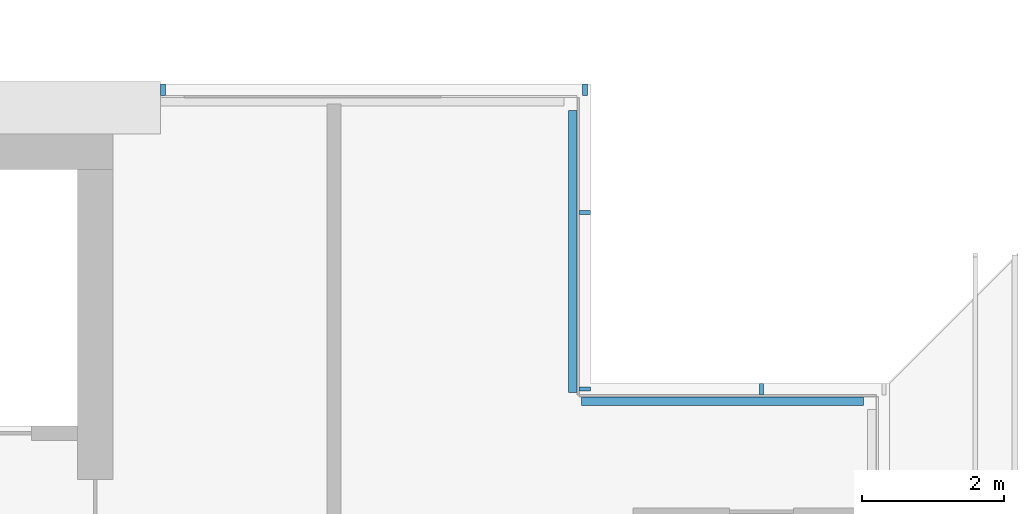
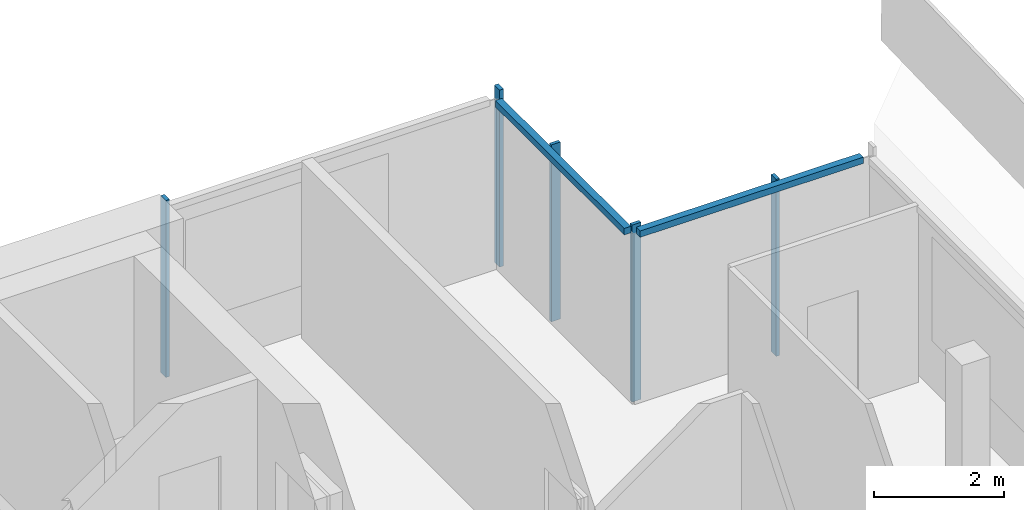
# One storey, part 10 of 26: 7 members, 3 elements without a shape of their own.
"""IFC4 building model written with IfcOpenShell, lengths in metres."""

import ifcopenshell
import ifcopenshell.guid

model = None  # the IFC model being written
_history = None  # IfcOwnerHistory: only IFC2X3 demands one
_inside = {}  # id of a spatial element -> (the spatial element, [elements in it])
_under = {}  # id of a project, library or spatial element -> (it, [spatial elements below it])
_declared = {}  # id of a project -> (the project, [libraries it declares])
_typed = {}  # id of a type object -> (the type object, [elements of that type])
_made_of = {}  # id of a material, layer set ... -> (it, [elements and type objects made of it])


def new_model(schema):
    """Start an empty IFC model of exactly this schema.

    Asked for "IFC4X3", IfcOpenShell would pick the latest addendum, in which some entities
    have other attributes; the version numbers below select the first issue.
    IFC2X3 requires an IfcOwnerHistory on every rooted entity: one is made here for all.
    """
    global model, _history
    if schema == "IFC4X3":
        model = ifcopenshell.file(schema_version=(4, 3, 0, 0))
    else:
        model = ifcopenshell.file(schema=schema)
    _inside.clear()
    _under.clear()
    _declared.clear()
    _typed.clear()
    _made_of.clear()
    _history = None
    if model.schema == "IFC2X3":
        org = make("IfcOrganization", Name="unknown")
        user = make(
            "IfcPersonAndOrganization",
            ThePerson=make("IfcPerson", FamilyName="unknown"),
            TheOrganization=org,
        )
        app = make(
            "IfcApplication",
            ApplicationDeveloper=org,
            Version="unknown",
            ApplicationFullName="unknown",
            ApplicationIdentifier="unknown",
        )
        _history = make(
            "IfcOwnerHistory",
            OwningUser=user,
            OwningApplication=app,
            ChangeAction="ADDED",
            CreationDate=0,
        )
    return model


def make(cls, **values):
    """One entity of the class cls with the attributes given. An attribute that is None is left unset."""
    return model.create_entity(
        cls, **{name: value for name, value in values.items() if value is not None}
    )


def rooted(cls, **values):
    """An entity with a GlobalId (a new one), such as an element, a storey or a relation."""
    return make(cls, GlobalId=ifcopenshell.guid.new(), OwnerHistory=_history, **values)


def si_unit(unit_type, name, prefix=None):
    """IfcSIUnit, for example si_unit("LENGTHUNIT", "METRE", prefix="MILLI")."""
    return make("IfcSIUnit", UnitType=unit_type, Prefix=prefix, Name=name)


def assignment(units):
    """IfcUnitAssignment: the units of a project."""
    return None if units is None else make("IfcUnitAssignment", Units=units)


def point(xyz):
    """IfcCartesianPoint."""
    return None if xyz is None else make("IfcCartesianPoint", Coordinates=xyz)


def direction(xyz):
    """IfcDirection."""
    return None if xyz is None else make("IfcDirection", DirectionRatios=xyz)


def frame(location, z_axis=None, x_axis=None):
    """IfcAxis2Placement3D, a coordinate frame: its origin and axes. An axis left out is left unset."""
    return make(
        "IfcAxis2Placement3D",
        Location=point(location),
        Axis=direction(z_axis),
        RefDirection=direction(x_axis),
    )


def frame_2d(location, x_axis=None):
    """IfcAxis2Placement2D, a coordinate frame in the plane: its origin and x axis."""
    return make(
        "IfcAxis2Placement2D", Location=point(location), RefDirection=direction(x_axis)
    )


def origin():
    """The frame at (0, 0, 0) with its axes left unset."""
    return frame((0.0, 0.0, 0.0))


def origin_2d():
    """The frame at (0, 0) in the plane with its x axis left unset."""
    return frame_2d((0.0, 0.0))


def place(relative_to, where):
    """IfcLocalPlacement: puts the frame where relative to a parent placement (None: the world)."""
    return make(
        "IfcLocalPlacement", PlacementRelTo=relative_to, RelativePlacement=where
    )


def context(
    kind, dimensions, precision=None, world=None, true_north=None, identifier=None
):
    """IfcGeometricRepresentationContext, for example the 3D "Model" context."""
    return make(
        "IfcGeometricRepresentationContext",
        ContextIdentifier=identifier,
        ContextType=kind,
        CoordinateSpaceDimension=dimensions,
        Precision=precision,
        WorldCoordinateSystem=world,
        TrueNorth=true_north,
    )


def subcontext(parent, identifier, kind, view, scale=None):
    """IfcGeometricRepresentationSubContext, for example "Body" below "Model"."""
    return make(
        "IfcGeometricRepresentationSubContext",
        ContextIdentifier=identifier,
        ContextType=kind,
        ParentContext=parent,
        TargetScale=scale,
        TargetView=view,
    )


def project(units=None, contexts=None):
    """IfcProject with its units and contexts."""
    return rooted(
        "IfcProject",
        Name="project",
        RepresentationContexts=contexts,
        UnitsInContext=assignment(units),
    )


def spatial(cls, under=None, at=None, **own):
    """A site, building, storey or space (cls), placed at a placement, below another one or the project."""
    s = rooted(cls, ObjectPlacement=at, **own)
    if under is not None:
        _under.setdefault(under.id(), (under, []))[1].append(s)
    return s


def profile(cls, at=None, kind="AREA", **sizes):
    """A parametric profile (cls). Its sizes go by their IFC names, for example OverallWidth=200.0."""
    return make(cls, ProfileType=kind, Position=at, **sizes)


def rectangle(**sizes):
    """IfcRectangleProfileDef."""
    return profile("IfcRectangleProfileDef", **sizes)


def extrude(swept, where, along, depth):
    """IfcExtrudedAreaSolid: the profile swept, set in the frame where, extruded along a direction by depth."""
    return make(
        "IfcExtrudedAreaSolid",
        SweptArea=swept,
        Position=where,
        ExtrudedDirection=direction(along),
        Depth=depth,
    )


def shape(context_of_items, identifier, shape_type, items):
    """IfcShapeRepresentation: the items that make up one representation, for example the "Body"."""
    return make(
        "IfcShapeRepresentation",
        ContextOfItems=context_of_items,
        RepresentationIdentifier=identifier,
        RepresentationType=shape_type,
        Items=items,
    )


def material(Name=None, Category=None):
    """IfcMaterial."""
    return make("IfcMaterial", Name=Name, Category=Category)


def material_profile(
    of_material, cross_section, Name=None, Category=None, Priority=None
):
    """IfcMaterialProfile: a cross section and its material."""
    return make(
        "IfcMaterialProfile",
        Name=Name,
        Material=of_material,
        Profile=cross_section,
        Priority=Priority,
        Category=Category,
    )


def profile_set(profiles, Name=None, composite=None):
    """IfcMaterialProfileSet."""
    return make(
        "IfcMaterialProfileSet",
        Name=Name,
        MaterialProfiles=profiles,
        CompositeProfile=composite,
    )


def made_of(thing, what):
    """Note that an element or type object is made of a material, layer set ...; save() writes the relation."""
    if what is not None:
        _made_of.setdefault(what.id(), (what, []))[1].append(thing)
    return thing


def type_object(cls, material=None, **own):
    """A type object (cls), such as IfcWallType, which elements share."""
    return made_of(rooted(cls, **own), material)


def element(
    cls,
    number,
    at=None,
    inside=None,
    cuts=None,
    type_object=None,
    material=None,
    context=None,
    identifier="Body",
    shape_type=None,
    held_by="IfcProductDefinitionShape",
    body=None,
    shapes=None,
    **own,
):
    """One element of the class cls, such as IfcWall. Its Tag is "e" and its number.

    at: its placement. inside: the storey or other place that contains it. cuts: it is an
    opening in that element (IfcRelVoidsElement). A single representation is given by context,
    identifier, shape_type and body (its items); several are given by shapes. held_by: the class
    of the entity that holds the representations. save() writes the other relations.
    """
    e = rooted(cls, Tag="e%d" % number, ObjectPlacement=at, **own)
    if body is not None:
        shapes = [shape(context, identifier, shape_type, body)]
    if shapes is not None:
        e.Representation = make(held_by, Representations=shapes)
    if inside is not None:
        _inside.setdefault(inside.id(), (inside, []))[1].append(e)
    if cuts is not None:
        rooted(
            "IfcRelVoidsElement", RelatingBuildingElement=cuts, RelatedOpeningElement=e
        )
    if type_object is not None:
        _typed.setdefault(type_object.id(), (type_object, []))[1].append(e)
    return made_of(e, material)


def aggregate(whole, parts):
    """IfcRelAggregates: a whole, such as a stair, and the parts it consists of."""
    return rooted("IfcRelAggregates", RelatingObject=whole, RelatedObjects=parts)


def save(model, path):
    """Write the relations noted so far, then the file.

    IfcRelAggregates (storeys below a building ...), IfcRelContainedInSpatialStructure (elements
    in a storey), IfcRelDefinesByType, IfcRelAssociatesMaterial and IfcRelDeclares: one each for
    every whole, place, type object, material and project.
    """
    for whole, parts in _under.values():
        aggregate(whole, parts)
    for where, things in _inside.values():
        rooted(
            "IfcRelContainedInSpatialStructure",
            RelatedElements=things,
            RelatingStructure=where,
        )
    for kind, things in _typed.values():
        rooted("IfcRelDefinesByType", RelatedObjects=things, RelatingType=kind)
    for what, things in _made_of.values():
        rooted("IfcRelAssociatesMaterial", RelatedObjects=things, RelatingMaterial=what)
    for by, libraries in _declared.values():
        rooted("IfcRelDeclares", RelatingContext=by, RelatedDefinitions=libraries)
    model.write(path)


model = new_model("IFC4")

# Units and contexts
model_context = context("Model", 3, precision=1e-05, world=origin(), true_north=direction((0.0, 1.0)))
body_context = subcontext(model_context, "Body", "Model", "MODEL_VIEW")
ifc_project = project(units=[si_unit("LENGTHUNIT", "METRE"), si_unit("AREAUNIT", "SQUARE_METRE"), si_unit("VOLUMEUNIT", "CUBIC_METRE"), si_unit("PLANEANGLEUNIT", "RADIAN"), si_unit("MASSUNIT", "GRAM", prefix="KILO")], contexts=[model_context])

# Site, building, storey
site_placement = place(None, origin())
site = spatial("IfcSite", under=ifc_project, at=site_placement, CompositionType="ELEMENT")
building_placement = place(site_placement, origin())
building = spatial("IfcBuilding", under=site, at=building_placement, Name="Saffron Gate Tower", CompositionType="ELEMENT")
storey_placement = place(building_placement, frame((0.0, 0.0, 277.949951171875)))
storey = spatial("IfcBuildingStorey", under=building, at=storey_placement, Name="L67", CompositionType="ELEMENT", Elevation=277.949951171875)

# Curtain wall, members
ifc_material = material(Name="Aluminium, bronze anodised", Category="aluminium")
curtain_wall_type_1 = type_object("IfcCurtainWallType", Name="CWS3 curtain wall rear facade", PredefinedType="NOTDEFINED", material=ifc_material)
curtain_wall_1_placement = place(storey_placement, origin())
curtain_wall_1 = element("IfcCurtainWall", 1, at=curtain_wall_1_placement, inside=storey, type_object=curtain_wall_type_1, Name="CWS3 run 7", PredefinedType="NOTDEFINED")
ifc_material_profile_1 = material_profile(ifc_material, rectangle(XDim=0.159912109375, YDim=0.070068359375, at=origin_2d()))
ifc_profile_set_1 = profile_set([ifc_material_profile_1], Name="Aluminium, bronze anodised")
member_type_1 = type_object("IfcMemberType", Name="CWS3 mullion 70x160", PredefinedType="MULLION", material=ifc_profile_set_1)
member_1_placement = place(storey_placement, frame((114.52001953125, 75.52001953125, 0.0), z_axis=(0.0, 0.0, 1.0), x_axis=(0.0, -1.0, 0.0)))
member_1 = element("IfcMember", 2, at=member_1_placement, type_object=member_type_1, Name="CWS3 mullion 1", PredefinedType="MULLION", context=body_context, shape_type="SweptSolid", body=[
    extrude(rectangle(XDim=0.159912109375, YDim=0.070068359375, at=origin_2d()), origin(), (0.0, 0.0, 1.0), 3.320068359375),
])
member_2_placement = place(storey_placement, frame((108.60009765625, 75.52001953125, 0.0), z_axis=(0.0, 0.0, 1.0), x_axis=(0.0, -1.0, 0.0)))
member_2 = element("IfcMember", 3, at=member_2_placement, type_object=member_type_1, Name="CWS3 mullion 2", PredefinedType="MULLION", context=body_context, shape_type="SweptSolid", body=[
    extrude(rectangle(XDim=0.159912109375, YDim=0.070068359375, at=origin_2d()), origin(), (0.0, 0.0, 1.0), 3.320068359375),
])
aggregate(curtain_wall_1, [member_1, member_2])

# Curtain wall, member
curtain_wall_type_2 = type_object("IfcCurtainWallType", Name="CWS4 curtain wall corner returns", PredefinedType="NOTDEFINED", material=ifc_material)
curtain_wall_2_placement = place(storey_placement, origin())
curtain_wall_2 = element("IfcCurtainWall", 4, at=curtain_wall_2_placement, inside=storey, type_object=curtain_wall_type_2, Name="CWS4 run 5", PredefinedType="NOTDEFINED")
ifc_material_profile_2 = material_profile(ifc_material, rectangle(XDim=0.1201171875, YDim=0.1201171875, at=origin_2d()))
ifc_profile_set_2 = profile_set([ifc_material_profile_2], Name="Aluminium, bronze anodised")
member_type_2 = type_object("IfcMemberType", Name="CWS4 head transom", PredefinedType="USERDEFINED", material=ifc_profile_set_2)
member_3_placement = place(storey_placement, frame((118.431884765625, 71.152099609375, 3.260009765625), z_axis=(-1.0, 0.0, 0.0), x_axis=(0.0, -1.0, 0.0)))
member_3 = element("IfcMember", 5, at=member_3_placement, type_object=member_type_2, Name="CWS4 head transom", ObjectType="TRANSOM", PredefinedType="USERDEFINED", context=body_context, shape_type="SweptSolid", body=[
    extrude(rectangle(XDim=0.1201171875, YDim=0.1201171875, at=origin_2d()), origin(), (0.0, 0.0, 1.0), 3.9599609375),
])

curtain_wall_3_placement = place(storey_placement, origin())
curtain_wall_3 = element("IfcCurtainWall", 6, at=curtain_wall_3_placement, inside=storey, type_object=curtain_wall_type_2, Name="CWS4 run 6", PredefinedType="NOTDEFINED")
member_4_placement = place(storey_placement, frame((114.35205078125, 71.27197265625, 3.260009765625), z_axis=(0.0, 1.0, 0.0), x_axis=(-1.0, 0.0, 0.0)))
member_4 = element("IfcMember", 7, at=member_4_placement, type_object=member_type_2, Name="CWS4 head transom", ObjectType="TRANSOM", PredefinedType="USERDEFINED", context=body_context, shape_type="SweptSolid", body=[
    extrude(rectangle(XDim=0.1201171875, YDim=0.1201171875, at=origin_2d()), origin(), (0.0, 0.0, 1.0), 3.9599609375),
])

# Member
ifc_material_profile_3 = material_profile(ifc_material, rectangle(XDim=0.159912109375, YDim=0.06005859375, at=origin_2d()))
ifc_profile_set_3 = profile_set([ifc_material_profile_3], Name="Aluminium, bronze anodised")
member_type_3 = type_object("IfcMemberType", Name="CWS4 mullion 60x160", PredefinedType="MULLION", material=ifc_profile_set_3)
member_5_placement = place(storey_placement, frame((117.0, 71.320068359375, 0.0), z_axis=(0.0, 0.0, 1.0), x_axis=(0.0, -1.0, 0.0)))
member_5 = element("IfcMember", 8, at=member_5_placement, type_object=member_type_3, Name="CWS4 mullion 2", PredefinedType="MULLION", context=body_context, shape_type="SweptSolid", body=[
    extrude(rectangle(XDim=0.159912109375, YDim=0.06005859375, at=origin_2d()), origin(), (0.0, 0.0, 1.0), 3.320068359375),
])

aggregate(curtain_wall_2, [member_5, member_3])

member_6_placement = place(storey_placement, frame((114.52001953125, 71.320068359375, 0.0), z_axis=(0.0, 0.0, 1.0), x_axis=(-1.0, 0.0, 0.0)))
member_6 = element("IfcMember", 9, at=member_6_placement, type_object=member_type_3, Name="CWS4 mullion 1", PredefinedType="MULLION", context=body_context, shape_type="SweptSolid", body=[
    extrude(rectangle(XDim=0.159912109375, YDim=0.06005859375, at=origin_2d()), origin(), (0.0, 0.0, 1.0), 3.320068359375),
])

member_7_placement = place(storey_placement, frame((114.52001953125, 73.800048828125, 0.0), z_axis=(0.0, 0.0, 1.0), x_axis=(-1.0, 0.0, 0.0)))
member_7 = element("IfcMember", 10, at=member_7_placement, type_object=member_type_3, Name="CWS4 mullion 2", PredefinedType="MULLION", context=body_context, shape_type="SweptSolid", body=[
    extrude(rectangle(XDim=0.159912109375, YDim=0.06005859375, at=origin_2d()), origin(), (0.0, 0.0, 1.0), 3.320068359375),
])

aggregate(curtain_wall_3, [member_6, member_7, member_4])

save(model, "model.ifc")
